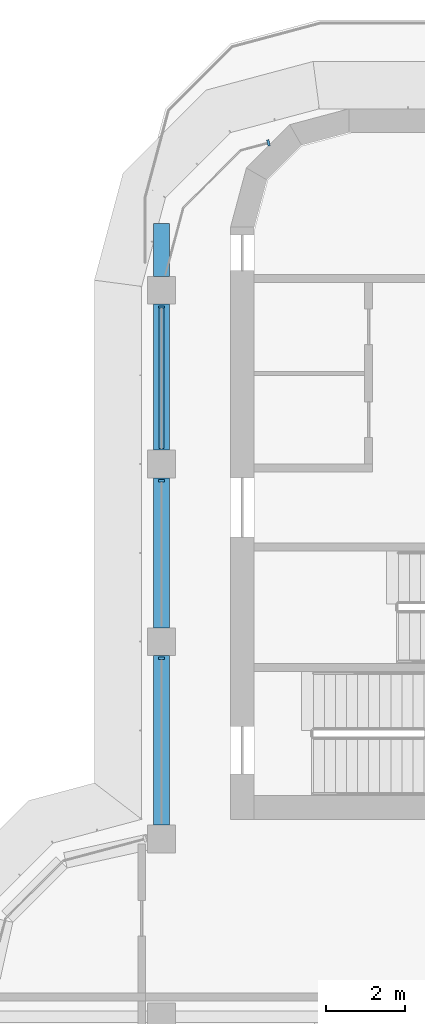
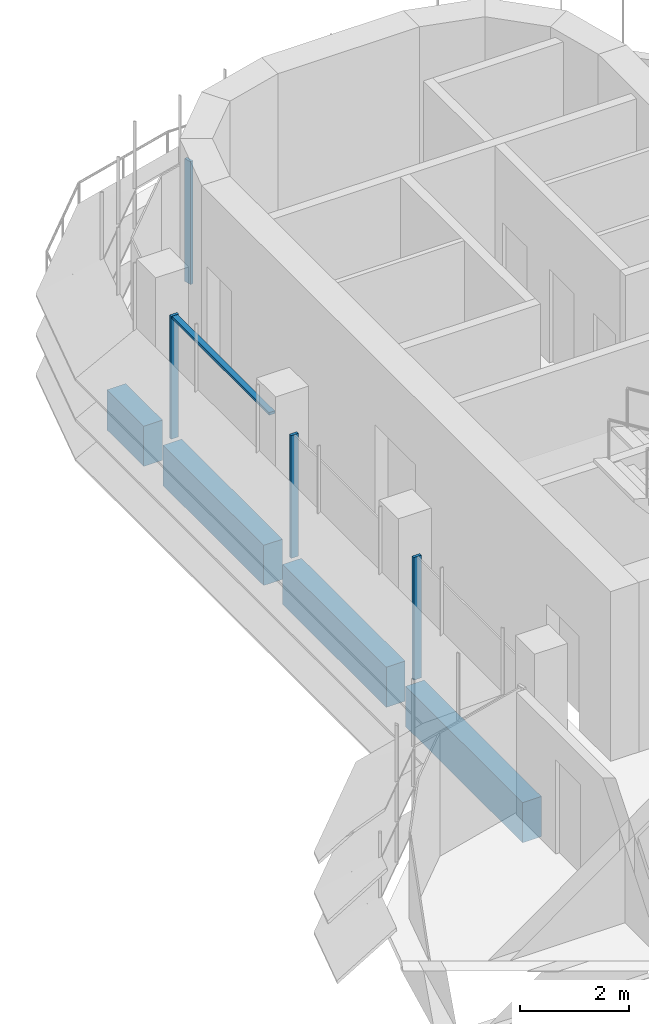
# One storey, part 7 of 19: 5 members, 4 beams, 2 elements without a shape of their own.
"""IFC4 building model written with IfcOpenShell, lengths in metres."""

from ifc_helpers import new_model, si_unit, direction, frame, origin, origin_2d, place, context, subcontext, project, spatial, polyline, rectangle, outline, extrude, source, transform, mapped, material, material_profile, profile_set, type_object, element, aggregate, save


model = new_model("IFC4")

# Units and contexts
model_context = context("Model", 3, precision=1e-05, world=origin(), true_north=direction((0.0, 1.0)))
body_context = subcontext(model_context, "Body", "Model", "MODEL_VIEW")
ifc_project = project(units=[si_unit("LENGTHUNIT", "METRE"), si_unit("AREAUNIT", "SQUARE_METRE"), si_unit("VOLUMEUNIT", "CUBIC_METRE"), si_unit("PLANEANGLEUNIT", "RADIAN"), si_unit("MASSUNIT", "GRAM", prefix="KILO")], contexts=[model_context])

# Site, building, storey
site_placement = place(None, origin())
site = spatial("IfcSite", under=ifc_project, at=site_placement, CompositionType="ELEMENT")
building_placement = place(site_placement, origin())
building = spatial("IfcBuilding", under=site, at=building_placement, Name="Zarbagh Exchange Tower", CompositionType="ELEMENT")
storey_placement = place(building_placement, frame((0.0, 0.0, 218.199951171875)))
storey = spatial("IfcBuildingStorey", under=building, at=storey_placement, Name="L53", CompositionType="ELEMENT", Elevation=218.199951171875)

# Beams
ifc_material_1 = material(Name="Concrete C50/60", Category="concrete")
ifc_material_profile = material_profile(ifc_material_1, rectangle(XDim=0.39990234375, YDim=0.89990234375, at=origin_2d()), Name="RC spandrel beam 400 x 900 C50/60")
ifc_profile_set = profile_set([ifc_material_profile], Name="Concrete C50/60")
beam_type = type_object("IfcBeamType", Name="RC spandrel beam 400 x 900 C50/60", PredefinedType="SPANDREL", material=ifc_profile_set)
beam_1_placement = place(storey_placement, frame((-6.25, 11.10009765625, -0.599853515625), z_axis=(0.0, 1.0, 0.0), x_axis=(-1.0, 0.0, 0.0)))
element("IfcBeam", 1, at=beam_1_placement, inside=storey, type_object=beam_type, Name="RC spandrel beam", PredefinedType="SPANDREL", context=body_context, shape_type="SweptSolid", body=[
    extrude(rectangle(XDim=0.39990234375, YDim=0.89990234375, at=origin_2d()), origin(), (0.0, 0.0, 1.0), 4.2998046875),
])
beam_2_placement = place(storey_placement, frame((-6.25, 16.10009765625, -0.599853515625), z_axis=(0.0, 1.0, 0.0), x_axis=(-1.0, 0.0, 0.0)))
element("IfcBeam", 2, at=beam_2_placement, inside=storey, type_object=beam_type, Name="RC spandrel beam", PredefinedType="SPANDREL", context=body_context, shape_type="SweptSolid", body=[
    extrude(rectangle(XDim=0.39990234375, YDim=0.89990234375, at=origin_2d()), origin(), (0.0, 0.0, 1.0), 3.7998046875),
])
beam_3_placement = place(storey_placement, frame((-6.25, 20.60009765625, -0.599853515625), z_axis=(0.0, 1.0, 0.0), x_axis=(-1.0, 0.0, 0.0)))
element("IfcBeam", 3, at=beam_3_placement, inside=storey, type_object=beam_type, Name="RC spandrel beam", PredefinedType="SPANDREL", context=body_context, shape_type="SweptSolid", body=[
    extrude(rectangle(XDim=0.39990234375, YDim=0.89990234375, at=origin_2d()), origin(), (0.0, 0.0, 1.0), 3.699951171875),
])
beam_4_placement = place(storey_placement, frame((-6.25, 25.0, -0.599853515625), z_axis=(0.0, 1.0, 0.0), x_axis=(-1.0, 0.0, 0.0)))
element("IfcBeam", 4, at=beam_4_placement, inside=storey, type_object=beam_type, Name="RC spandrel beam", PredefinedType="SPANDREL", context=body_context, shape_type="SweptSolid", body=[
    extrude(rectangle(XDim=0.39990234375, YDim=0.89990234375, at=origin_2d()), origin(), (0.0, 0.0, 1.0), 1.35009765625),
])

# Curtain wall, member
ifc_material_2 = material(Name="Anodised aluminium frame and glazing", Category="aluminium")
curtain_wall_type = type_object("IfcCurtainWallType", Name="CWB Ribbon glazing, upper zones", PredefinedType="NOTDEFINED", material=ifc_material_2)
curtain_wall_1_placement = place(storey_placement, origin())
curtain_wall_1 = element("IfcCurtainWall", 5, at=curtain_wall_1_placement, inside=storey, type_object=curtain_wall_type, Name="CWB70 curtain wall", PredefinedType="NOTDEFINED")
ifc_material_3 = material(Name="Anodised aluminium frame", Category="aluminium")
member_type_1 = type_object("IfcMemberType", Name="MUB Mullion, anodised aluminium frame", PredefinedType="MULLION", material=ifc_material_3)
shared_shape_1 = source(origin(), body_context, "Body", "SweptSolid", [
    extrude(outline(polyline([(0.0, -0.080078125), (0.06005859375, -0.080078125), (0.06005859375, 0.080078125), (0.0, 0.080078125), (0.0, -0.080078125)])), origin(), (0.0, 0.0, 1.0), 2.75),
])
placement = place(storey_placement, origin())
member_1 = element("IfcMember", 6, at=placement, type_object=member_type_1, Name="CWB70 mullion 1.1", PredefinedType="MULLION", context=body_context, shape_type="MappedRepresentation", body=[
    mapped(shared_shape_1, transform((-3.510009765625, 28.394775390625, 0.0), x_axis=(-0.965924289636, -0.258824779902, 0.0), y_axis=(0.258824779902, -0.965924289636, 0.0), z_axis=(0.0, 0.0, 1.0))),
])
aggregate(curtain_wall_1, [member_1])

# Curtain wall, members
curtain_wall_2_placement = place(storey_placement, origin())
curtain_wall_2 = element("IfcCurtainWall", 7, at=curtain_wall_2_placement, inside=storey, type_object=curtain_wall_type, Name="CWB73 curtain wall", PredefinedType="NOTDEFINED")
member_2 = element("IfcMember", 8, at=placement, type_object=member_type_1, Name="CWB73 mullion 1.1", PredefinedType="MULLION", context=body_context, shape_type="MappedRepresentation", body=[
    mapped(shared_shape_1, transform((-6.25, 24.260009765625, 0.0), x_axis=(0.0, -1.0, 0.0), y_axis=(1.0, 0.0, 0.0), z_axis=(0.0, 0.0, 1.0))),
])
member_3 = element("IfcMember", 9, at=placement, type_object=member_type_1, Name="CWB73 mullion 2.1", PredefinedType="MULLION", context=body_context, shape_type="MappedRepresentation", body=[
    mapped(shared_shape_1, transform((-6.25, 19.85986328125, 0.0), x_axis=(0.0, -1.0, 0.0), y_axis=(1.0, 0.0, 0.0), z_axis=(0.0, 0.0, 1.0))),
])
member_4 = element("IfcMember", 10, at=placement, type_object=member_type_1, Name="CWB73 mullion 3.1", PredefinedType="MULLION", context=body_context, shape_type="MappedRepresentation", body=[
    mapped(shared_shape_1, transform((-6.25, 15.35986328125, 0.0), x_axis=(0.0, -1.0, 0.0), y_axis=(1.0, 0.0, 0.0), z_axis=(0.0, 0.0, 1.0))),
])
member_type_2 = type_object("IfcMemberType", Name="TRB Transom, anodised aluminium frame", PredefinedType="USERDEFINED", material=ifc_material_3)
shared_shape_2 = source(origin(), body_context, "Body", "SweptSolid", [
    extrude(outline(polyline([(-0.06005859375, -0.06005859375), (0.0, -0.06005859375), (0.0, 0.06005859375), (-0.06005859375, 0.06005859375), (-0.06005859375, -0.06005859375)])), origin(), (0.0, 0.0, 1.0), 3.56005859375),
])
member_5 = element("IfcMember", 11, at=placement, type_object=member_type_2, Name="CWB73 transom 1.1", ObjectType="TRANSOM", PredefinedType="USERDEFINED", context=body_context, shape_type="MappedRepresentation", body=[
    mapped(shared_shape_2, transform((-6.25, 24.199951171875, 2.75), x_axis=(0.0, 0.0, 1.0), y_axis=(-1.0, 0.0, 0.0), z_axis=(0.0, -1.0, 0.0))),
])
aggregate(curtain_wall_2, [member_2, member_5, member_3, member_4])

save(model, "model.ifc")
